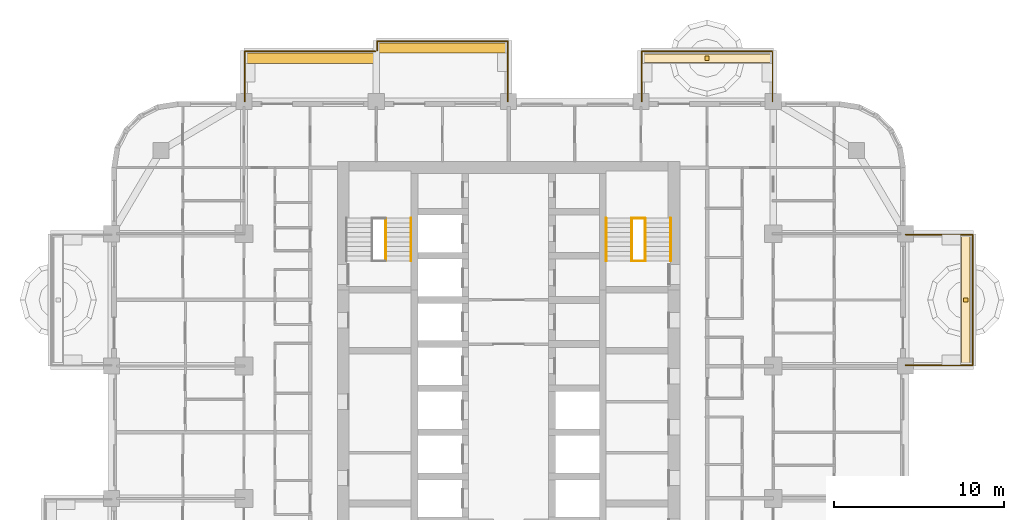
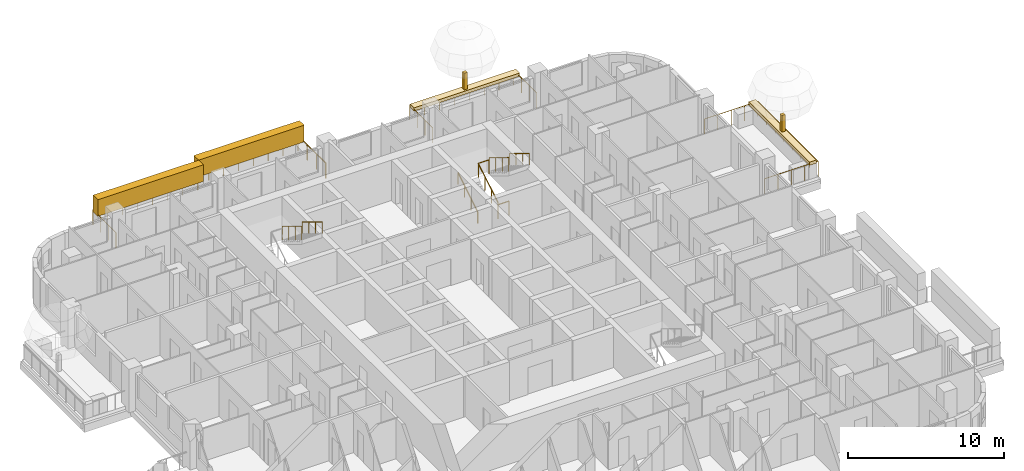
# One storey, part 18 of 19: 12 railings, 6 coverings, 2 elements without a shape of their own.
"""IFC4 building model written with IfcOpenShell, lengths in metres."""

import ifcopenshell
import ifcopenshell.guid

model = None  # the IFC model being written
_history = None  # IfcOwnerHistory: only IFC2X3 demands one
_inside = {}  # id of a spatial element -> (the spatial element, [elements in it])
_under = {}  # id of a project, library or spatial element -> (it, [spatial elements below it])
_declared = {}  # id of a project -> (the project, [libraries it declares])
_typed = {}  # id of a type object -> (the type object, [elements of that type])
_made_of = {}  # id of a material, layer set ... -> (it, [elements and type objects made of it])


def new_model(schema):
    """Start an empty IFC model of exactly this schema.

    Asked for "IFC4X3", IfcOpenShell would pick the latest addendum, in which some entities
    have other attributes; the version numbers below select the first issue.
    IFC2X3 requires an IfcOwnerHistory on every rooted entity: one is made here for all.
    """
    global model, _history
    if schema == "IFC4X3":
        model = ifcopenshell.file(schema_version=(4, 3, 0, 0))
    else:
        model = ifcopenshell.file(schema=schema)
    _inside.clear()
    _under.clear()
    _declared.clear()
    _typed.clear()
    _made_of.clear()
    _history = None
    if model.schema == "IFC2X3":
        org = make("IfcOrganization", Name="unknown")
        user = make(
            "IfcPersonAndOrganization",
            ThePerson=make("IfcPerson", FamilyName="unknown"),
            TheOrganization=org,
        )
        app = make(
            "IfcApplication",
            ApplicationDeveloper=org,
            Version="unknown",
            ApplicationFullName="unknown",
            ApplicationIdentifier="unknown",
        )
        _history = make(
            "IfcOwnerHistory",
            OwningUser=user,
            OwningApplication=app,
            ChangeAction="ADDED",
            CreationDate=0,
        )
    return model


def make(cls, **values):
    """One entity of the class cls with the attributes given. An attribute that is None is left unset."""
    return model.create_entity(
        cls, **{name: value for name, value in values.items() if value is not None}
    )


def rooted(cls, **values):
    """An entity with a GlobalId (a new one), such as an element, a storey or a relation."""
    return make(cls, GlobalId=ifcopenshell.guid.new(), OwnerHistory=_history, **values)


def si_unit(unit_type, name, prefix=None):
    """IfcSIUnit, for example si_unit("LENGTHUNIT", "METRE", prefix="MILLI")."""
    return make("IfcSIUnit", UnitType=unit_type, Prefix=prefix, Name=name)


def assignment(units):
    """IfcUnitAssignment: the units of a project."""
    return None if units is None else make("IfcUnitAssignment", Units=units)


def point(xyz):
    """IfcCartesianPoint."""
    return None if xyz is None else make("IfcCartesianPoint", Coordinates=xyz)


def direction(xyz):
    """IfcDirection."""
    return None if xyz is None else make("IfcDirection", DirectionRatios=xyz)


def frame(location, z_axis=None, x_axis=None):
    """IfcAxis2Placement3D, a coordinate frame: its origin and axes. An axis left out is left unset."""
    return make(
        "IfcAxis2Placement3D",
        Location=point(location),
        Axis=direction(z_axis),
        RefDirection=direction(x_axis),
    )


def frame_2d(location, x_axis=None):
    """IfcAxis2Placement2D, a coordinate frame in the plane: its origin and x axis."""
    return make(
        "IfcAxis2Placement2D", Location=point(location), RefDirection=direction(x_axis)
    )


def origin():
    """The frame at (0, 0, 0) with its axes left unset."""
    return frame((0.0, 0.0, 0.0))


def origin_2d():
    """The frame at (0, 0) in the plane with its x axis left unset."""
    return frame_2d((0.0, 0.0))


def place(relative_to, where):
    """IfcLocalPlacement: puts the frame where relative to a parent placement (None: the world)."""
    return make(
        "IfcLocalPlacement", PlacementRelTo=relative_to, RelativePlacement=where
    )


def context(
    kind, dimensions, precision=None, world=None, true_north=None, identifier=None
):
    """IfcGeometricRepresentationContext, for example the 3D "Model" context."""
    return make(
        "IfcGeometricRepresentationContext",
        ContextIdentifier=identifier,
        ContextType=kind,
        CoordinateSpaceDimension=dimensions,
        Precision=precision,
        WorldCoordinateSystem=world,
        TrueNorth=true_north,
    )


def subcontext(parent, identifier, kind, view, scale=None):
    """IfcGeometricRepresentationSubContext, for example "Body" below "Model"."""
    return make(
        "IfcGeometricRepresentationSubContext",
        ContextIdentifier=identifier,
        ContextType=kind,
        ParentContext=parent,
        TargetScale=scale,
        TargetView=view,
    )


def project(units=None, contexts=None):
    """IfcProject with its units and contexts."""
    return rooted(
        "IfcProject",
        Name="project",
        RepresentationContexts=contexts,
        UnitsInContext=assignment(units),
    )


def spatial(cls, under=None, at=None, **own):
    """A site, building, storey or space (cls), placed at a placement, below another one or the project."""
    s = rooted(cls, ObjectPlacement=at, **own)
    if under is not None:
        _under.setdefault(under.id(), (under, []))[1].append(s)
    return s


def profile(cls, at=None, kind="AREA", **sizes):
    """A parametric profile (cls). Its sizes go by their IFC names, for example OverallWidth=200.0."""
    return make(cls, ProfileType=kind, Position=at, **sizes)


def rectangle(**sizes):
    """IfcRectangleProfileDef."""
    return profile("IfcRectangleProfileDef", **sizes)


def circle(**sizes):
    """IfcCircleProfileDef."""
    return profile("IfcCircleProfileDef", **sizes)


def extrude(swept, where, along, depth):
    """IfcExtrudedAreaSolid: the profile swept, set in the frame where, extruded along a direction by depth."""
    return make(
        "IfcExtrudedAreaSolid",
        SweptArea=swept,
        Position=where,
        ExtrudedDirection=direction(along),
        Depth=depth,
    )


def shape(context_of_items, identifier, shape_type, items):
    """IfcShapeRepresentation: the items that make up one representation, for example the "Body"."""
    return make(
        "IfcShapeRepresentation",
        ContextOfItems=context_of_items,
        RepresentationIdentifier=identifier,
        RepresentationType=shape_type,
        Items=items,
    )


def material(Name=None, Category=None):
    """IfcMaterial."""
    return make("IfcMaterial", Name=Name, Category=Category)


def layer(
    of_material, thickness, ventilated=None, Name=None, Category=None, Priority=None
):
    """IfcMaterialLayer: one layer of a wall or slab, of a material (None: an air gap)."""
    return make(
        "IfcMaterialLayer",
        Material=of_material,
        LayerThickness=thickness,
        IsVentilated=ventilated,
        Name=Name,
        Category=Category,
        Priority=Priority,
    )


def layer_set(layers, Name=None):
    """IfcMaterialLayerSet."""
    return make("IfcMaterialLayerSet", MaterialLayers=layers, LayerSetName=Name)


def made_of(thing, what):
    """Note that an element or type object is made of a material, layer set ...; save() writes the relation."""
    if what is not None:
        _made_of.setdefault(what.id(), (what, []))[1].append(thing)
    return thing


def type_object(cls, material=None, **own):
    """A type object (cls), such as IfcWallType, which elements share."""
    return made_of(rooted(cls, **own), material)


def element(
    cls,
    number,
    at=None,
    inside=None,
    cuts=None,
    type_object=None,
    material=None,
    context=None,
    identifier="Body",
    shape_type=None,
    held_by="IfcProductDefinitionShape",
    body=None,
    shapes=None,
    **own,
):
    """One element of the class cls, such as IfcWall. Its Tag is "e" and its number.

    at: its placement. inside: the storey or other place that contains it. cuts: it is an
    opening in that element (IfcRelVoidsElement). A single representation is given by context,
    identifier, shape_type and body (its items); several are given by shapes. held_by: the class
    of the entity that holds the representations. save() writes the other relations.
    """
    e = rooted(cls, Tag="e%d" % number, ObjectPlacement=at, **own)
    if body is not None:
        shapes = [shape(context, identifier, shape_type, body)]
    if shapes is not None:
        e.Representation = make(held_by, Representations=shapes)
    if inside is not None:
        _inside.setdefault(inside.id(), (inside, []))[1].append(e)
    if cuts is not None:
        rooted(
            "IfcRelVoidsElement", RelatingBuildingElement=cuts, RelatedOpeningElement=e
        )
    if type_object is not None:
        _typed.setdefault(type_object.id(), (type_object, []))[1].append(e)
    return made_of(e, material)


def aggregate(whole, parts):
    """IfcRelAggregates: a whole, such as a stair, and the parts it consists of."""
    return rooted("IfcRelAggregates", RelatingObject=whole, RelatedObjects=parts)


def save(model, path):
    """Write the relations noted so far, then the file.

    IfcRelAggregates (storeys below a building ...), IfcRelContainedInSpatialStructure (elements
    in a storey), IfcRelDefinesByType, IfcRelAssociatesMaterial and IfcRelDeclares: one each for
    every whole, place, type object, material and project.
    """
    for whole, parts in _under.values():
        aggregate(whole, parts)
    for where, things in _inside.values():
        rooted(
            "IfcRelContainedInSpatialStructure",
            RelatedElements=things,
            RelatingStructure=where,
        )
    for kind, things in _typed.values():
        rooted("IfcRelDefinesByType", RelatedObjects=things, RelatingType=kind)
    for what, things in _made_of.values():
        rooted("IfcRelAssociatesMaterial", RelatedObjects=things, RelatingMaterial=what)
    for by, libraries in _declared.values():
        rooted("IfcRelDeclares", RelatingContext=by, RelatedDefinitions=libraries)
    model.write(path)


model = new_model("IFC4")

# Units and contexts
model_context = context("Model", 3, precision=1e-05, world=origin(), true_north=direction((0.0, 1.0)))
body_context = subcontext(model_context, "Body", "Model", "MODEL_VIEW")
ifc_project = project(units=[si_unit("LENGTHUNIT", "METRE"), si_unit("AREAUNIT", "SQUARE_METRE"), si_unit("VOLUMEUNIT", "CUBIC_METRE"), si_unit("PLANEANGLEUNIT", "RADIAN"), si_unit("MASSUNIT", "GRAM", prefix="KILO")], contexts=[model_context])

# Site, building, storey
site_placement = place(None, origin())
site = spatial("IfcSite", under=ifc_project, at=site_placement, CompositionType="ELEMENT")
building_placement = place(site_placement, origin())
building = spatial("IfcBuilding", under=site, at=building_placement, Name="Ludao Terraces", CompositionType="ELEMENT")
storey_placement = place(building_placement, frame((0.0, 0.0, 68.199951171875)))
storey = spatial("IfcBuildingStorey", under=building, at=storey_placement, Name="L18", CompositionType="ELEMENT", Elevation=68.199951171875)

# Railings
ifc_material_1 = material(Name="Stainless steel 304", Category="steel")
railing_type_1 = type_object("IfcRailingType", Name="ENV Balcony glass guard 1200", PredefinedType="GUARDRAIL", material=ifc_material_1)
railing_1_placement = place(storey_placement, frame((108.39990234375, 72.85009765625, 0.0)))
element("IfcRailing", 1, at=railing_1_placement, inside=storey, type_object=railing_type_1, Name="Balcony guard L18 E4", PredefinedType="GUARDRAIL", context=body_context, shape_type="SweptSolid", body=[
    extrude(circle(Radius=0.02392578125, at=origin_2d()), frame((0.0, 0.0, 1.17578125), z_axis=(1.0, 0.0, 0.0), x_axis=(0.0, 1.0, 0.0)), (0.0, 0.0, 1.0), 3.9501953125),
    extrude(circle(Radius=0.02392578125, at=origin_2d()), frame((3.9501953125, 0.0, 1.17578125), z_axis=(0.0, 1.0, 0.0), x_axis=(-1.0, 0.0, 0.0)), (0.0, 0.0, 1.0), 7.699951171875),
    extrude(circle(Radius=0.02392578125, at=origin_2d()), frame((3.9501953125, 7.699951171875, 1.17578125), z_axis=(-1.0, 0.0, 0.0), x_axis=(0.0, -1.0, 0.0)), (0.0, 0.0, 1.0), 3.9501953125),
    extrude(circle(Radius=0.02099609375, at=origin_2d()), origin(), (0.0, 0.0, 1.0), 1.15185546875),
    extrude(circle(Radius=0.02099609375, at=origin_2d()), frame((0.987548828125, 0.0, 0.0)), (0.0, 0.0, 1.0), 1.15185546875),
    extrude(circle(Radius=0.02099609375, at=origin_2d()), frame((1.97509765625, 0.0, 0.0)), (0.0, 0.0, 1.0), 1.15185546875),
    extrude(circle(Radius=0.02099609375, at=origin_2d()), frame((2.962646484375, 0.0, 0.0)), (0.0, 0.0, 1.0), 1.15185546875),
    extrude(circle(Radius=0.02099609375, at=origin_2d()), frame((3.9501953125, 0.0, 0.0)), (0.0, 0.0, 1.0), 1.15185546875),
    extrude(circle(Radius=0.02099609375, at=origin_2d()), frame((3.9501953125, 1.10009765625, 0.0)), (0.0, 0.0, 1.0), 1.15185546875),
    extrude(circle(Radius=0.02099609375, at=origin_2d()), frame((3.9501953125, 2.199951171875, 0.0)), (0.0, 0.0, 1.0), 1.15185546875),
    extrude(circle(Radius=0.02099609375, at=origin_2d()), frame((3.9501953125, 3.300048828125, 0.0)), (0.0, 0.0, 1.0), 1.15185546875),
    extrude(circle(Radius=0.02099609375, at=origin_2d()), frame((3.9501953125, 4.39990234375, 0.0)), (0.0, 0.0, 1.0), 1.15185546875),
    extrude(circle(Radius=0.02099609375, at=origin_2d()), frame((3.9501953125, 5.5, 0.0)), (0.0, 0.0, 1.0), 1.15185546875),
    extrude(circle(Radius=0.02099609375, at=origin_2d()), frame((3.9501953125, 6.599853515625, 0.0)), (0.0, 0.0, 1.0), 1.15185546875),
    extrude(circle(Radius=0.02099609375, at=origin_2d()), frame((3.9501953125, 7.699951171875, 0.0)), (0.0, 0.0, 1.0), 1.15185546875),
    extrude(circle(Radius=0.02099609375, at=origin_2d()), frame((2.962646484375, 7.699951171875, 0.0)), (0.0, 0.0, 1.0), 1.15185546875),
    extrude(circle(Radius=0.02099609375, at=origin_2d()), frame((1.97509765625, 7.699951171875, 0.0)), (0.0, 0.0, 1.0), 1.15185546875),
    extrude(circle(Radius=0.02099609375, at=origin_2d()), frame((0.987548828125, 7.699951171875, 0.0)), (0.0, 0.0, 1.0), 1.15185546875),
    extrude(circle(Radius=0.02099609375, at=origin_2d()), frame((0.0, 7.699951171875, 0.0)), (0.0, 0.0, 1.0), 1.15185546875),
])
railing_2_placement = place(storey_placement, frame((69.449951171875, 88.39990234375, 0.0)))
element("IfcRailing", 2, at=railing_2_placement, inside=storey, type_object=railing_type_1, Name="Balcony guard L18 N1", PredefinedType="GUARDRAIL", context=body_context, shape_type="SweptSolid", body=[
    extrude(circle(Radius=0.02392578125, at=origin_2d()), frame((0.0, 0.0, 1.17578125), z_axis=(0.0, 1.0, 0.0), x_axis=(-1.0, 0.0, 0.0)), (0.0, 0.0, 1.0), 2.9501953125),
    extrude(circle(Radius=0.02392578125, at=origin_2d()), frame((0.0, 2.9501953125, 1.17578125), z_axis=(1.0, 0.0, 0.0), x_axis=(0.0, 1.0, 0.0)), (0.0, 0.0, 1.0), 7.699951171875),
    extrude(circle(Radius=0.02099609375, at=origin_2d()), origin(), (0.0, 0.0, 1.0), 1.15185546875),
    extrude(circle(Radius=0.02099609375, at=origin_2d()), frame((0.0, 0.9833984375, 0.0)), (0.0, 0.0, 1.0), 1.15185546875),
    extrude(circle(Radius=0.02099609375, at=origin_2d()), frame((0.0, 1.966796875, 0.0)), (0.0, 0.0, 1.0), 1.15185546875),
    extrude(circle(Radius=0.02099609375, at=origin_2d()), frame((0.0, 2.9501953125, 0.0)), (0.0, 0.0, 1.0), 1.15185546875),
    extrude(circle(Radius=0.02099609375, at=origin_2d()), frame((1.10009765625, 2.9501953125, 0.0)), (0.0, 0.0, 1.0), 1.15185546875),
    extrude(circle(Radius=0.02099609375, at=origin_2d()), frame((2.199951171875, 2.9501953125, 0.0)), (0.0, 0.0, 1.0), 1.15185546875),
    extrude(circle(Radius=0.02099609375, at=origin_2d()), frame((3.300048828125, 2.9501953125, 0.0)), (0.0, 0.0, 1.0), 1.15185546875),
    extrude(circle(Radius=0.02099609375, at=origin_2d()), frame((4.39990234375, 2.9501953125, 0.0)), (0.0, 0.0, 1.0), 1.15185546875),
    extrude(circle(Radius=0.02099609375, at=origin_2d()), frame((5.5, 2.9501953125, 0.0)), (0.0, 0.0, 1.0), 1.15185546875),
    extrude(circle(Radius=0.02099609375, at=origin_2d()), frame((6.599853515625, 2.9501953125, 0.0)), (0.0, 0.0, 1.0), 1.15185546875),
    extrude(circle(Radius=0.02099609375, at=origin_2d()), frame((7.699951171875, 2.9501953125, 0.0)), (0.0, 0.0, 1.0), 1.15185546875),
])
railing_3_placement = place(storey_placement, frame((77.25, 91.39990234375, 0.0)))
element("IfcRailing", 3, at=railing_3_placement, inside=storey, type_object=railing_type_1, Name="Balcony guard L18 N2", PredefinedType="GUARDRAIL", context=body_context, shape_type="SweptSolid", body=[
    extrude(circle(Radius=0.02392578125, at=origin_2d()), frame((0.0, 0.0, 1.17578125), z_axis=(0.0, 1.0, 0.0), x_axis=(-1.0, 0.0, 0.0)), (0.0, 0.0, 1.0), 0.550048828125),
    extrude(circle(Radius=0.02392578125, at=origin_2d()), frame((0.0, 0.550048828125, 1.17578125), z_axis=(1.0, 0.0, 0.0), x_axis=(0.0, 1.0, 0.0)), (0.0, 0.0, 1.0), 7.699951171875),
    extrude(circle(Radius=0.02392578125, at=origin_2d()), frame((7.699951171875, 0.550048828125, 1.17578125), z_axis=(0.0, -1.0, 0.0), x_axis=(1.0, 0.0, 0.0)), (0.0, 0.0, 1.0), 3.550048828125),
    extrude(circle(Radius=0.02099609375, at=origin_2d()), origin(), (0.0, 0.0, 1.0), 1.15185546875),
    extrude(circle(Radius=0.02099609375, at=origin_2d()), frame((0.0, 0.550048828125, 0.0)), (0.0, 0.0, 1.0), 1.15185546875),
    extrude(circle(Radius=0.02099609375, at=origin_2d()), frame((1.10009765625, 0.550048828125, 0.0)), (0.0, 0.0, 1.0), 1.15185546875),
    extrude(circle(Radius=0.02099609375, at=origin_2d()), frame((2.199951171875, 0.550048828125, 0.0)), (0.0, 0.0, 1.0), 1.15185546875),
    extrude(circle(Radius=0.02099609375, at=origin_2d()), frame((3.300048828125, 0.550048828125, 0.0)), (0.0, 0.0, 1.0), 1.15185546875),
    extrude(circle(Radius=0.02099609375, at=origin_2d()), frame((4.39990234375, 0.550048828125, 0.0)), (0.0, 0.0, 1.0), 1.15185546875),
    extrude(circle(Radius=0.02099609375, at=origin_2d()), frame((5.5, 0.550048828125, 0.0)), (0.0, 0.0, 1.0), 1.15185546875),
    extrude(circle(Radius=0.02099609375, at=origin_2d()), frame((6.599853515625, 0.550048828125, 0.0)), (0.0, 0.0, 1.0), 1.15185546875),
    extrude(circle(Radius=0.02099609375, at=origin_2d()), frame((7.699951171875, 0.550048828125, 0.0)), (0.0, 0.0, 1.0), 1.15185546875),
    extrude(circle(Radius=0.02099609375, at=origin_2d()), frame((7.699951171875, -0.63330078125, 0.0)), (0.0, 0.0, 1.0), 1.15185546875),
    extrude(circle(Radius=0.02099609375, at=origin_2d()), frame((7.699951171875, -1.816650390625, 0.0)), (0.0, 0.0, 1.0), 1.15185546875),
    extrude(circle(Radius=0.02099609375, at=origin_2d()), frame((7.699951171875, -3.0, 0.0)), (0.0, 0.0, 1.0), 1.15185546875),
])
railing_4_placement = place(storey_placement, frame((92.85009765625, 88.39990234375, 0.0)))
element("IfcRailing", 4, at=railing_4_placement, inside=storey, type_object=railing_type_1, Name="Balcony guard L18 N4", PredefinedType="GUARDRAIL", context=body_context, shape_type="SweptSolid", body=[
    extrude(circle(Radius=0.02392578125, at=origin_2d()), frame((0.0, 0.0, 1.17578125), z_axis=(0.0, 1.0, 0.0), x_axis=(-1.0, 0.0, 0.0)), (0.0, 0.0, 1.0), 2.9501953125),
    extrude(circle(Radius=0.02392578125, at=origin_2d()), frame((0.0, 2.9501953125, 1.17578125), z_axis=(1.0, 0.0, 0.0), x_axis=(0.0, 1.0, 0.0)), (0.0, 0.0, 1.0), 7.699951171875),
    extrude(circle(Radius=0.02392578125, at=origin_2d()), frame((7.699951171875, 2.9501953125, 1.17578125), z_axis=(0.0, -1.0, 0.0), x_axis=(1.0, 0.0, 0.0)), (0.0, 0.0, 1.0), 2.9501953125),
    extrude(circle(Radius=0.02099609375, at=origin_2d()), origin(), (0.0, 0.0, 1.0), 1.15185546875),
    extrude(circle(Radius=0.02099609375, at=origin_2d()), frame((0.0, 0.9833984375, 0.0)), (0.0, 0.0, 1.0), 1.15185546875),
    extrude(circle(Radius=0.02099609375, at=origin_2d()), frame((0.0, 1.966796875, 0.0)), (0.0, 0.0, 1.0), 1.15185546875),
    extrude(circle(Radius=0.02099609375, at=origin_2d()), frame((0.0, 2.9501953125, 0.0)), (0.0, 0.0, 1.0), 1.15185546875),
    extrude(circle(Radius=0.02099609375, at=origin_2d()), frame((1.10009765625, 2.9501953125, 0.0)), (0.0, 0.0, 1.0), 1.15185546875),
    extrude(circle(Radius=0.02099609375, at=origin_2d()), frame((2.199951171875, 2.9501953125, 0.0)), (0.0, 0.0, 1.0), 1.15185546875),
    extrude(circle(Radius=0.02099609375, at=origin_2d()), frame((3.300048828125, 2.9501953125, 0.0)), (0.0, 0.0, 1.0), 1.15185546875),
    extrude(circle(Radius=0.02099609375, at=origin_2d()), frame((4.39990234375, 2.9501953125, 0.0)), (0.0, 0.0, 1.0), 1.15185546875),
    extrude(circle(Radius=0.02099609375, at=origin_2d()), frame((5.5, 2.9501953125, 0.0)), (0.0, 0.0, 1.0), 1.15185546875),
    extrude(circle(Radius=0.02099609375, at=origin_2d()), frame((6.599853515625, 2.9501953125, 0.0)), (0.0, 0.0, 1.0), 1.15185546875),
    extrude(circle(Radius=0.02099609375, at=origin_2d()), frame((7.699951171875, 2.9501953125, 0.0)), (0.0, 0.0, 1.0), 1.15185546875),
    extrude(circle(Radius=0.02099609375, at=origin_2d()), frame((7.699951171875, 1.966796875, 0.0)), (0.0, 0.0, 1.0), 1.15185546875),
    extrude(circle(Radius=0.02099609375, at=origin_2d()), frame((7.699951171875, 0.9833984375, 0.0)), (0.0, 0.0, 1.0), 1.15185546875),
    extrude(circle(Radius=0.02099609375, at=origin_2d()), frame((7.699951171875, 0.0, 0.0)), (0.0, 0.0, 1.0), 1.15185546875),
])

# Coverings
ifc_material_2 = material(Name="Planting")
ifc_layer_1 = layer(ifc_material_2, 0.5)
ifc_layer_set_1 = layer_set([ifc_layer_1], Name="ENV Planting bed 250")
covering_type_1 = type_object("IfcCoveringType", Name="ENV Planting bed 250", PredefinedType="USERDEFINED", material=ifc_layer_set_1)
covering_1_placement = place(storey_placement, frame((111.949951171875, 76.699951171875, 1.10009765625), z_axis=(0.0, 0.0, 1.0), x_axis=(1.0, 0.0, 0.0)))
element("IfcCovering", 5, at=covering_1_placement, inside=storey, type_object=covering_type_1, Name="Planting bed L18-E4", ObjectType="PLANTING", PredefinedType="USERDEFINED", context=body_context, shape_type="SweptSolid", body=[
    extrude(rectangle(XDim=0.5, YDim=7.800048828125, at=origin_2d()), origin(), (0.0, 0.0, 1.0), 0.25),
])
covering_2_placement = place(storey_placement, frame((96.699951171875, 90.949951171875, 1.10009765625), z_axis=(0.0, 0.0, 1.0), x_axis=(1.0, 0.0, 0.0)))
element("IfcCovering", 6, at=covering_2_placement, inside=storey, type_object=covering_type_1, Name="Planting bed L18-N4", ObjectType="PLANTING", PredefinedType="USERDEFINED", context=body_context, shape_type="SweptSolid", body=[
    extrude(rectangle(XDim=7.800048828125, YDim=0.5, at=origin_2d()), origin(), (0.0, 0.0, 1.0), 0.25),
])
ifc_layer_2 = layer(ifc_material_2, 0.60009765625)
ifc_layer_set_2 = layer_set([ifc_layer_2], Name="ENV Planting hedge 600x1300")
covering_type_2 = type_object("IfcCoveringType", Name="ENV Planting hedge 600x1300", PredefinedType="USERDEFINED", material=ifc_layer_set_2)
for number, where, z_axis, x_axis, name in (
    (7, (73.300048828125, 90.949951171875, 1.10009765625), (0.0, 0.0, 1.0), (1.0, 0.0, 0.0), "Planting hedge L18-N1"),
    (8, (81.10009765625, 91.550048828125, 1.10009765625), (0.0, 0.0, 1.0), (1.0, 0.0, 0.0), "Planting hedge L18-N2"),
):
    element("IfcCovering", number, at=place(storey_placement, frame(where, z_axis=z_axis, x_axis=x_axis)), inside=storey, type_object=covering_type_2, Name=name, ObjectType="PLANTING", PredefinedType="USERDEFINED", context=body_context, shape_type="SweptSolid", body=[
        extrude(rectangle(XDim=7.800048828125, YDim=0.60009765625, at=origin_2d()), origin(), (0.0, 0.0, 1.0), 1.300048828125),
    ])
ifc_material_3 = material(Name="Timber tree trunk", Category="wood")
ifc_layer_3 = layer(ifc_material_3, 0.25)
ifc_layer_set_3 = layer_set([ifc_layer_3], Name="ENV Tree trunk 250x1300")
covering_type_3 = type_object("IfcCoveringType", Name="ENV Tree trunk 250x1300", PredefinedType="USERDEFINED", material=ifc_layer_set_3)
for number, where, z_axis, x_axis, name in (
    (9, (111.949951171875, 76.699951171875, 1.35009765625), (0.0, 0.0, 1.0), (1.0, 0.0, 0.0), "Tree trunk L18 E4"),
    (10, (96.699951171875, 90.949951171875, 1.35009765625), (0.0, 0.0, 1.0), (1.0, 0.0, 0.0), "Tree trunk L18 N4"),
):
    element("IfcCovering", number, at=place(storey_placement, frame(where, z_axis=z_axis, x_axis=x_axis)), inside=storey, type_object=covering_type_3, Name=name, ObjectType="PLANTING", PredefinedType="USERDEFINED", context=body_context, shape_type="SweptSolid", body=[
        extrude(rectangle(XDim=0.25, YDim=0.25, at=origin_2d()), origin(), (0.0, 0.0, 1.0), 1.300048828125),
    ])

# Stair, railing
ifc_material_4 = material(Name="Concrete C40", Category="concrete")
stair_type = type_object("IfcStairType", Name="INT Stair", PredefinedType="HALF_TURN_STAIR", material=ifc_material_4)
stair_1_placement = place(storey_placement, origin())
stair_1 = element("IfcStair", 11, at=stair_1_placement, inside=storey, type_object=stair_type, Name="EXIT STAIR 1", PredefinedType="HALF_TURN_STAIR")
railing_type_2 = type_object("IfcRailingType", Name="INT Stair guard 1100", PredefinedType="GUARDRAIL", material=ifc_material_1)
railing_5_placement = place(storey_placement, frame((77.75, 81.52001953125, 1.8701171875)))
railing_5 = element("IfcRailing", 12, at=railing_5_placement, type_object=railing_type_2, Name="ST-L18-S1-R2G", PredefinedType="GUARDRAIL", context=body_context, shape_type="SweptSolid", body=[
    extrude(circle(Radius=0.02392578125, at=origin_2d()), frame((0.0, 0.0, 1.076171875), z_axis=(0.0, -0.85478489116, 0.518982456201), x_axis=(1.0, 0.0, 0.0)), (0.0, 0.0, 1.0), 2.9482421875),
    extrude(circle(Radius=0.02099609375, at=origin_2d()), origin(), (0.0, 0.0, 1.0), 1.052001953125),
    extrude(circle(Radius=0.02099609375, at=origin_2d()), frame((0.0, -0.840087890625, 0.510009765625)), (0.0, 0.0, 1.0), 1.052001953125),
    extrude(circle(Radius=0.02099609375, at=origin_2d()), frame((0.0, -1.679931640625, 1.02001953125)), (0.0, 0.0, 1.0), 1.052001953125),
    extrude(circle(Radius=0.02099609375, at=origin_2d()), frame((0.0, -2.52001953125, 1.530029296875)), (0.0, 0.0, 1.0), 1.052001953125),
])

# Stair, railings
stair_2_placement = place(storey_placement, origin())
stair_2 = element("IfcStair", 13, at=stair_2_placement, inside=storey, type_object=stair_type, Name="EXIT STAIR 2", PredefinedType="HALF_TURN_STAIR")
railing_6_placement = place(storey_placement, frame((92.25, 79.0, 0.170166015625)))
railing_6 = element("IfcRailing", 14, at=railing_6_placement, type_object=railing_type_2, Name="ST-L18-S2-R1G", PredefinedType="GUARDRAIL", context=body_context, shape_type="SweptSolid", body=[
    extrude(circle(Radius=0.02392578125, at=origin_2d()), frame((0.0, 0.0, 1.076171875), z_axis=(0.0, 0.854821627497, 0.518921945155), x_axis=(-1.0, 0.0, 0.0)), (0.0, 0.0, 1.0), 2.947998046875),
    extrude(circle(Radius=0.02099609375, at=origin_2d()), origin(), (0.0, 0.0, 1.0), 1.052001953125),
    extrude(circle(Radius=0.02099609375, at=origin_2d()), frame((0.0, 0.840087890625, 0.510009765625)), (0.0, 0.0, 1.0), 1.052001953125),
    extrude(circle(Radius=0.02099609375, at=origin_2d()), frame((0.0, 1.679931640625, 1.019775390625)), (0.0, 0.0, 1.0), 1.052001953125),
    extrude(circle(Radius=0.02099609375, at=origin_2d()), frame((0.0, 2.52001953125, 1.52978515625)), (0.0, 0.0, 1.0), 1.052001953125),
])
railing_7_placement = place(storey_placement, frame((93.050048828125, 81.52001953125, 1.8701171875)))
railing_7 = element("IfcRailing", 15, at=railing_7_placement, type_object=railing_type_2, Name="ST-L18-S2-R2G", PredefinedType="GUARDRAIL", context=body_context, shape_type="SweptSolid", body=[
    extrude(circle(Radius=0.02392578125, at=origin_2d()), frame((0.0, 0.0, 1.076171875), z_axis=(0.0, -0.85478489116, 0.518982456201), x_axis=(1.0, 0.0, 0.0)), (0.0, 0.0, 1.0), 2.9482421875),
    extrude(circle(Radius=0.02099609375, at=origin_2d()), origin(), (0.0, 0.0, 1.0), 1.052001953125),
    extrude(circle(Radius=0.02099609375, at=origin_2d()), frame((0.0, -0.840087890625, 0.510009765625)), (0.0, 0.0, 1.0), 1.052001953125),
    extrude(circle(Radius=0.02099609375, at=origin_2d()), frame((0.0, -1.679931640625, 1.02001953125)), (0.0, 0.0, 1.0), 1.052001953125),
    extrude(circle(Radius=0.02099609375, at=origin_2d()), frame((0.0, -2.52001953125, 1.530029296875)), (0.0, 0.0, 1.0), 1.052001953125),
])
railing_8_placement = place(storey_placement, frame((92.25, 81.52001953125, 1.699951171875)))
railing_8 = element("IfcRailing", 16, at=railing_8_placement, type_object=railing_type_2, Name="ST-L18-S2-E1G", PredefinedType="GUARDRAIL", context=body_context, shape_type="SweptSolid", body=[
    extrude(circle(Radius=0.02392578125, at=origin_2d()), frame((0.0, 0.0, 1.076171875), z_axis=(1.0, 0.0, 0.0), x_axis=(0.0, 1.0, 0.0)), (0.0, 0.0, 1.0), 0.800048828125),
    extrude(circle(Radius=0.02099609375, at=origin_2d()), origin(), (0.0, 0.0, 1.0), 1.052001953125),
    extrude(circle(Radius=0.02099609375, at=origin_2d()), frame((0.800048828125, 0.0, 0.0)), (0.0, 0.0, 1.0), 1.052001953125),
])
railing_9_placement = place(storey_placement, frame((92.25, 79.0, 0.0)))
railing_9 = element("IfcRailing", 17, at=railing_9_placement, type_object=railing_type_2, Name="ST-L18-S2-E2G", PredefinedType="GUARDRAIL", context=body_context, shape_type="SweptSolid", body=[
    extrude(circle(Radius=0.02392578125, at=origin_2d()), frame((0.0, 0.0, 1.076171875), z_axis=(1.0, 0.0, 0.0), x_axis=(0.0, 1.0, 0.0)), (0.0, 0.0, 1.0), 0.800048828125),
    extrude(circle(Radius=0.02099609375, at=origin_2d()), origin(), (0.0, 0.0, 1.0), 1.052001953125),
    extrude(circle(Radius=0.02099609375, at=origin_2d()), frame((0.800048828125, 0.0, 0.0)), (0.0, 0.0, 1.0), 1.052001953125),
])

# Railing
railing_type_3 = type_object("IfcRailingType", Name="INT Stair handrail 900", PredefinedType="HANDRAIL", material=ifc_material_1)
railing_10_placement = place(storey_placement, frame((79.25, 81.52001953125, 1.8701171875)))
railing_10 = element("IfcRailing", 18, at=railing_10_placement, type_object=railing_type_3, Name="ST-L18-S1-R2H", PredefinedType="HANDRAIL", context=body_context, shape_type="SweptSolid", body=[
    extrude(circle(Radius=0.02392578125, at=origin_2d()), frame((0.0, 0.0, 0.8759765625), z_axis=(0.0, -0.85478489116, 0.518982456201), x_axis=(1.0, 0.0, 0.0)), (0.0, 0.0, 1.0), 2.9482421875),
    extrude(circle(Radius=0.02099609375, at=origin_2d()), origin(), (0.0, 0.0, 1.0), 0.851806640625),
    extrude(circle(Radius=0.02099609375, at=origin_2d()), frame((0.0, -0.840087890625, 0.510009765625)), (0.0, 0.0, 1.0), 0.851806640625),
    extrude(circle(Radius=0.02099609375, at=origin_2d()), frame((0.0, -1.679931640625, 1.02001953125)), (0.0, 0.0, 1.0), 0.851806640625),
    extrude(circle(Radius=0.02099609375, at=origin_2d()), frame((0.0, -2.52001953125, 1.530029296875)), (0.0, 0.0, 1.0), 0.851806640625),
])

aggregate(stair_1, [railing_5, railing_10])

railing_11_placement = place(storey_placement, frame((90.75, 79.0, 0.170166015625)))
railing_11 = element("IfcRailing", 19, at=railing_11_placement, type_object=railing_type_3, Name="ST-L18-S2-R1H", PredefinedType="HANDRAIL", context=body_context, shape_type="SweptSolid", body=[
    extrude(circle(Radius=0.02392578125, at=origin_2d()), frame((0.0, 0.0, 0.8759765625), z_axis=(0.0, 0.854821627497, 0.518921945155), x_axis=(-1.0, 0.0, 0.0)), (0.0, 0.0, 1.0), 2.947998046875),
    extrude(circle(Radius=0.02099609375, at=origin_2d()), origin(), (0.0, 0.0, 1.0), 0.851806640625),
    extrude(circle(Radius=0.02099609375, at=origin_2d()), frame((0.0, 0.840087890625, 0.510009765625)), (0.0, 0.0, 1.0), 0.851806640625),
    extrude(circle(Radius=0.02099609375, at=origin_2d()), frame((0.0, 1.679931640625, 1.019775390625)), (0.0, 0.0, 1.0), 0.851806640625),
    extrude(circle(Radius=0.02099609375, at=origin_2d()), frame((0.0, 2.52001953125, 1.52978515625)), (0.0, 0.0, 1.0), 0.851806640625),
])

railing_12_placement = place(storey_placement, frame((94.550048828125, 81.52001953125, 1.8701171875)))
railing_12 = element("IfcRailing", 20, at=railing_12_placement, type_object=railing_type_3, Name="ST-L18-S2-R2H", PredefinedType="HANDRAIL", context=body_context, shape_type="SweptSolid", body=[
    extrude(circle(Radius=0.02392578125, at=origin_2d()), frame((0.0, 0.0, 0.8759765625), z_axis=(0.0, -0.85478489116, 0.518982456201), x_axis=(1.0, 0.0, 0.0)), (0.0, 0.0, 1.0), 2.9482421875),
    extrude(circle(Radius=0.02099609375, at=origin_2d()), origin(), (0.0, 0.0, 1.0), 0.851806640625),
    extrude(circle(Radius=0.02099609375, at=origin_2d()), frame((0.0, -0.840087890625, 0.510009765625)), (0.0, 0.0, 1.0), 0.851806640625),
    extrude(circle(Radius=0.02099609375, at=origin_2d()), frame((0.0, -1.679931640625, 1.02001953125)), (0.0, 0.0, 1.0), 0.851806640625),
    extrude(circle(Radius=0.02099609375, at=origin_2d()), frame((0.0, -2.52001953125, 1.530029296875)), (0.0, 0.0, 1.0), 0.851806640625),
])

aggregate(stair_2, [railing_6, railing_11, railing_7, railing_12, railing_8, railing_9])

save(model, "model.ifc")
